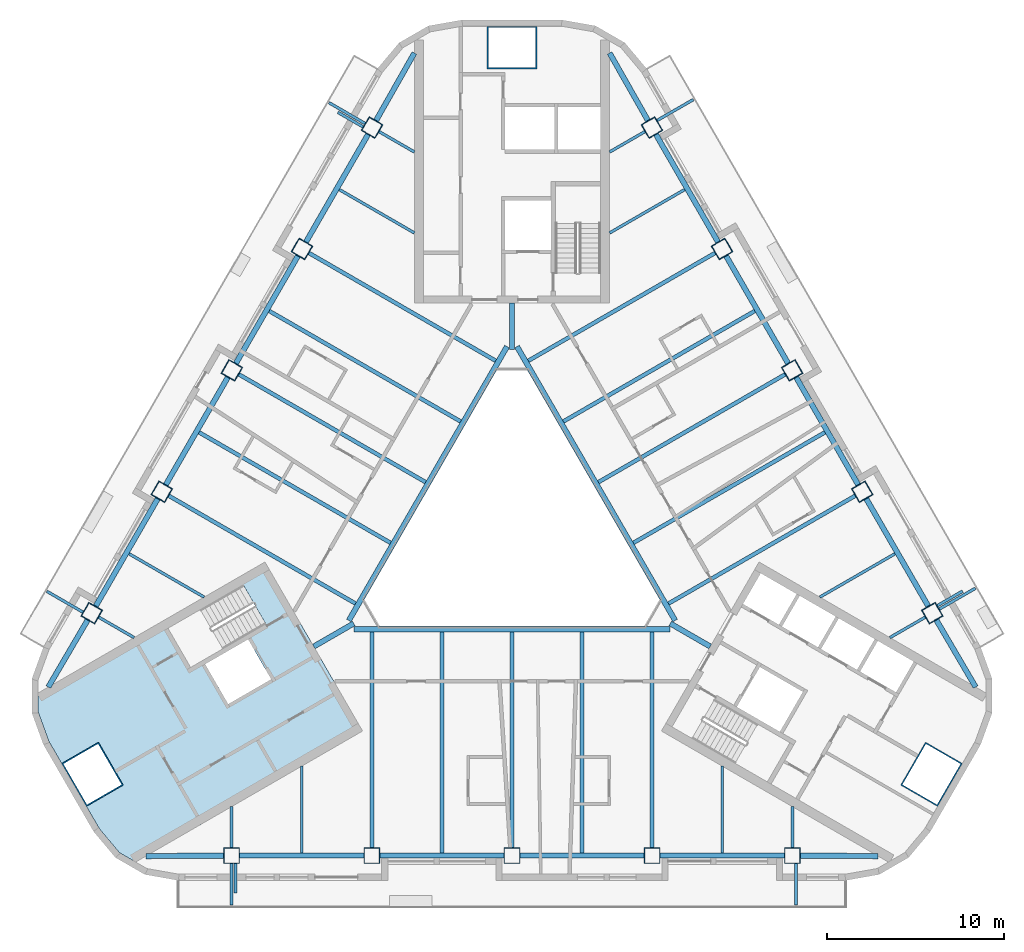
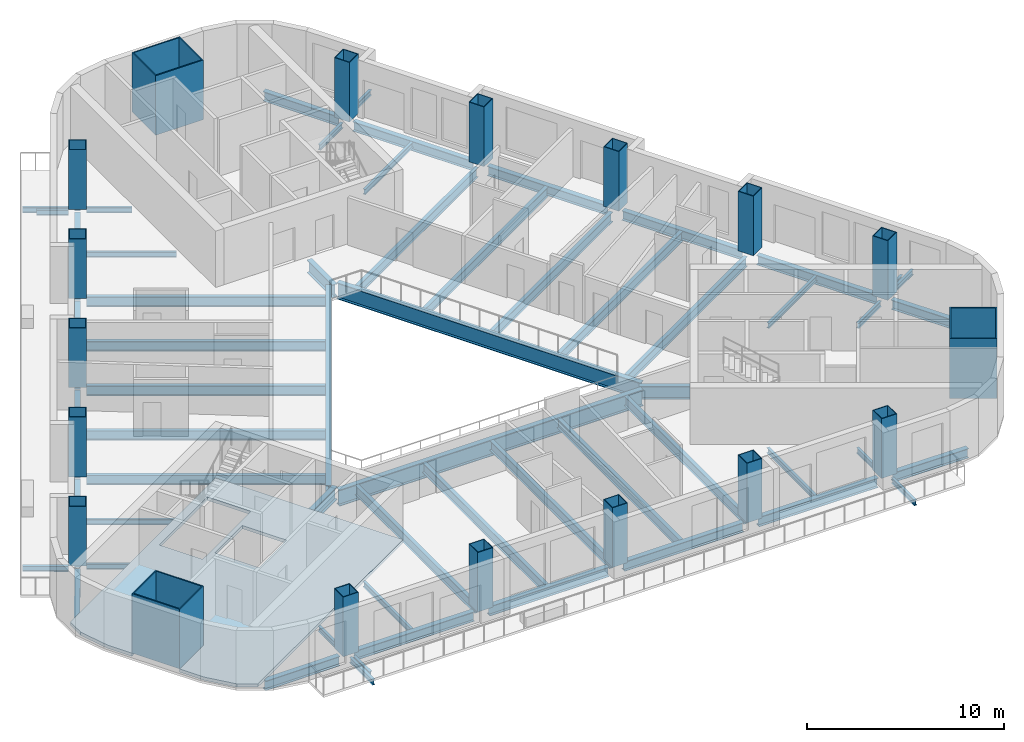
# One storey, part 1 of 14: 60 beams, 18 columns, 1 slab.
"""IFC4 building model written with IfcOpenShell, lengths in metres."""

from ifc_helpers import new_model, si_unit, direction, frame, origin, origin_2d, place, context, subcontext, project, spatial, polyline, rectangle, hollow_rectangle, i_section, outline, extrude, material, layer, layer_set, material_profile, profile_set, type_object, element, save


model = new_model("IFC4")

# Units and contexts
model_context = context("Model", 3, precision=1e-05, world=origin(), true_north=direction((0.0, 1.0)))
body_context = subcontext(model_context, "Body", "Model", "MODEL_VIEW")
ifc_project = project(units=[si_unit("LENGTHUNIT", "METRE"), si_unit("AREAUNIT", "SQUARE_METRE"), si_unit("VOLUMEUNIT", "CUBIC_METRE"), si_unit("PLANEANGLEUNIT", "RADIAN"), si_unit("MASSUNIT", "GRAM", prefix="KILO")], contexts=[model_context])

# Site, building, storey
site_placement = place(None, origin())
site = spatial("IfcSite", under=ifc_project, at=site_placement, CompositionType="ELEMENT")
building_placement = place(site_placement, origin())
building = spatial("IfcBuilding", under=site, at=building_placement, Name="Apuvela Tower Hotel", CompositionType="ELEMENT")
storey_placement = place(building_placement, frame((0.0, 0.0, 109.39990234375)))
storey = spatial("IfcBuildingStorey", under=building, at=storey_placement, Name="L25", CompositionType="ELEMENT", Elevation=109.39990234375)

# Columns
ifc_material_1 = material(Name="Steel S460", Category="steel")
ifc_material_profile_1 = material_profile(ifc_material_1, hollow_rectangle(XDim=2.800048828125, YDim=2.39990234375, WallThickness=0.070068359375, at=origin_2d()), Name="BOX 2800x2400x70")
ifc_material_2 = material(Name="Concrete C80/95", Category="concrete")
ifc_material_profile_2 = material_profile(ifc_material_2, rectangle(XDim=2.659912109375, YDim=2.260009765625, at=origin_2d()), Name="Concrete C80/95 infill")
ifc_profile_set_1 = profile_set([ifc_material_profile_1, ifc_material_profile_2], Name="Steel S460")
column_type_1 = type_object("IfcColumnType", Name="STR-MC mega column BOX 2800x2400x70", PredefinedType="COLUMN", material=ifc_profile_set_1)
for number, where, z_axis, x_axis, name in (
    (1, (0.0, 27.300048828125, 0.0), (0.0, 0.0, 1.0), (1.0, 0.0, 0.0), "Mega column MC2 N"),
    (2, (-23.642578125, -13.64990234375, 0.0), (0.0, 0.0, 1.0), (-0.5, 0.866025403784, 0.0), "Mega column MC2 SW"),
    (3, (23.642578125, -13.64990234375, 0.0), (0.0, 0.0, 1.0), (0.5, 0.866025403784, 0.0), "Mega column MC2 SE"),
):
    element("IfcColumn", number, at=place(storey_placement, frame(where, z_axis=z_axis, x_axis=x_axis)), inside=storey, type_object=column_type_1, Name=name, PredefinedType="COLUMN", context=body_context, shape_type="SweptSolid", body=[
        extrude(hollow_rectangle(XDim=2.800048828125, YDim=2.39990234375, WallThickness=0.070068359375, at=origin_2d()), origin(), (0.0, 0.0, 1.0), 3.7001953125),
    ])
ifc_material_profile_3 = material_profile(ifc_material_1, hollow_rectangle(XDim=0.89990234375, YDim=0.89990234375, WallThickness=0.0400390625, at=origin_2d()), Name="BOX 900x900x40")
ifc_material_profile_4 = material_profile(ifc_material_2, rectangle(XDim=0.820068359375, YDim=0.820068359375, at=origin_2d()), Name="Concrete C80/95 infill")
ifc_profile_set_2 = profile_set([ifc_material_profile_3, ifc_material_profile_4], Name="Steel S460")
column_type_2 = type_object("IfcColumnType", Name="STR-PC perimeter column BOX 900x900x40", PredefinedType="COLUMN", material=ifc_profile_set_2)
for number, where, z_axis, x_axis, name in (
    (4, (-15.800048828125, -18.22998046875, 0.0), (0.0, 0.0, 1.0), (-1.0, 0.0, 0.0), "Perimeter column C3 S1"),
    (5, (-7.89990234375, -18.22998046875, 0.0), (0.0, 0.0, 1.0), (-1.0, 0.0, 0.0), "Perimeter column C3 S2"),
    (6, (0.0, -18.22998046875, 0.0), (0.0, 0.0, 1.0), (-1.0, 0.0, 0.0), "Perimeter column C3 S3"),
    (7, (7.89990234375, -18.22998046875, 0.0), (0.0, 0.0, 1.0), (-1.0, 0.0, 0.0), "Perimeter column C3 S4"),
    (8, (15.800048828125, -18.22998046875, 0.0), (0.0, 0.0, 1.0), (-1.0, 0.0, 0.0), "Perimeter column C3 S5"),
    (9, (23.6875, -4.568115234375, 0.0), (0.0, 0.0, 1.0), (-0.5, 0.866025403784, 0.0), "Perimeter column C3 NE1"),
    (10, (19.737548828125, 2.2734375, 0.0), (0.0, 0.0, 1.0), (-0.5, 0.866025403784, 0.0), "Perimeter column C3 NE2"),
    (11, (15.78759765625, 9.114990234375, 0.0), (0.0, 0.0, 1.0), (-0.5, 0.866025403784, 0.0), "Perimeter column C3 NE3"),
    (12, (11.837646484375, 15.95654296875, 0.0), (0.0, 0.0, 1.0), (-0.5, 0.866025403784, 0.0), "Perimeter column C3 NE4"),
    (13, (7.8876953125, 22.798095703125, 0.0), (0.0, 0.0, 1.0), (-0.5, 0.866025403784, 0.0), "Perimeter column C3 NE5"),
    (14, (-7.8876953125, 22.798095703125, 0.0), (0.0, 0.0, 1.0), (0.5, 0.866025403784, 0.0), "Perimeter column C3 NW1"),
    (15, (-11.837646484375, 15.95654296875, 0.0), (0.0, 0.0, 1.0), (0.5, 0.866025403784, 0.0), "Perimeter column C3 NW2"),
    (16, (-15.78759765625, 9.114990234375, 0.0), (0.0, 0.0, 1.0), (0.5, 0.866025403784, 0.0), "Perimeter column C3 NW3"),
    (17, (-19.737548828125, 2.2734375, 0.0), (0.0, 0.0, 1.0), (0.5, 0.866025403784, 0.0), "Perimeter column C3 NW4"),
    (18, (-23.6875, -4.568115234375, 0.0), (0.0, 0.0, 1.0), (0.5, 0.866025403784, 0.0), "Perimeter column C3 NW5"),
):
    element("IfcColumn", number, at=place(storey_placement, frame(where, z_axis=z_axis, x_axis=x_axis)), inside=storey, type_object=column_type_2, Name=name, PredefinedType="COLUMN", context=body_context, shape_type="SweptSolid", body=[
        extrude(hollow_rectangle(XDim=0.89990234375, YDim=0.89990234375, WallThickness=0.0400390625, at=origin_2d()), origin(), (0.0, 0.0, 1.0), 3.7001953125),
    ])

# Beams
ifc_material_3 = material(Name="Steel S355", Category="steel")
ifc_material_profile_5 = material_profile(ifc_material_3, i_section(OverallWidth=0.159912109375, OverallDepth=0.330078125, WebThickness=0.007568359375, FlangeThickness=0.011474609375, at=origin_2d()), Name="IPE 330")
ifc_profile_set_3 = profile_set([ifc_material_profile_5], Name="Steel S355")
beam_type_1 = type_object("IfcBeamType", Name="ENV-BALCONY-BEAM-IPE330", PredefinedType="BEAM", material=ifc_profile_set_3)
beam_1_placement = place(storey_placement, frame((-15.800048828125, -18.679931640625, -0.31494140625), z_axis=(0.0, -1.0, 0.0), x_axis=(1.0, 0.0, 0.0)))
element("IfcBeam", 19, at=beam_1_placement, inside=storey, type_object=beam_type_1, Name="Balcony cantilever beam S1 L25", PredefinedType="BEAM", context=body_context, shape_type="SweptSolid", body=[
    extrude(i_section(OverallWidth=0.159912109375, OverallDepth=0.330078125, WebThickness=0.007568359375, FlangeThickness=0.011474609375, at=origin_2d()), origin(), (0.0, 0.0, 1.0), 2.35009765625),
])
beam_2_placement = place(storey_placement, frame((-15.580078125, -18.679931640625, -0.31494140625), z_axis=(0.0, -1.0, 0.0), x_axis=(1.0, 0.0, 0.0)))
element("IfcBeam", 20, at=beam_2_placement, inside=storey, type_object=beam_type_1, Name="Balcony cantilever beam S2 L25", PredefinedType="BEAM", context=body_context, shape_type="SweptSolid", body=[
    extrude(i_section(OverallWidth=0.159912109375, OverallDepth=0.330078125, WebThickness=0.007568359375, FlangeThickness=0.011474609375, at=origin_2d()), origin(), (0.0, 0.0, 1.0), 1.650146484375),
])
for number, where, z_axis, x_axis, name in (
    (21, (16.0, -18.679931640625, -0.31494140625), (0.0, -1.0, 0.0), (1.0, 0.0, 0.0), "Balcony cantilever beam S3 L25"),
    (22, (24.077392578125, -4.34326171875, -0.31494140625), (0.866016039709, 0.500016218704, 0.0), (-0.500016218704, 0.866016039709, 0.0), "Balcony cantilever beam NE1 L25"),
):
    element("IfcBeam", number, at=place(storey_placement, frame(where, z_axis=z_axis, x_axis=x_axis)), inside=storey, type_object=beam_type_1, Name=name, PredefinedType="BEAM", context=body_context, shape_type="SweptSolid", body=[
        extrude(i_section(OverallWidth=0.159912109375, OverallDepth=0.330078125, WebThickness=0.007568359375, FlangeThickness=0.011474609375, at=origin_2d()), origin(), (0.0, 0.0, 1.0), 2.35009765625),
    ])
beam_3_placement = place(storey_placement, frame((23.96728515625, -4.152587890625, -0.31494140625), z_axis=(0.866040211805, 0.499974350878, 0.0), x_axis=(-0.499974350878, 0.866040211805, 0.0)))
element("IfcBeam", 23, at=beam_3_placement, inside=storey, type_object=beam_type_1, Name="Balcony cantilever beam NE2 L25", PredefinedType="BEAM", context=body_context, shape_type="SweptSolid", body=[
    extrude(i_section(OverallWidth=0.159912109375, OverallDepth=0.330078125, WebThickness=0.007568359375, FlangeThickness=0.011474609375, at=origin_2d()), origin(), (0.0, 0.0, 1.0), 1.64990234375),
])
beam_4_placement = place(storey_placement, frame((8.177490234375, 23.1962890625, -0.31494140625), z_axis=(0.865990062348, 0.500061208168, 0.0), x_axis=(-0.500061208168, 0.865990062348, 0.0)))
element("IfcBeam", 24, at=beam_4_placement, inside=storey, type_object=beam_type_1, Name="Balcony cantilever beam NE3 L25", PredefinedType="BEAM", context=body_context, shape_type="SweptSolid", body=[
    extrude(i_section(OverallWidth=0.159912109375, OverallDepth=0.330078125, WebThickness=0.007568359375, FlangeThickness=0.011474609375, at=origin_2d()), origin(), (0.0, 0.0, 1.0), 2.349853515625),
])
beam_5_placement = place(storey_placement, frame((-8.27734375, 23.023193359375, -0.31494140625), z_axis=(-0.866016039709, 0.500016218704, 0.0), x_axis=(-0.500016218704, -0.866016039709, 0.0)))
element("IfcBeam", 25, at=beam_5_placement, inside=storey, type_object=beam_type_1, Name="Balcony cantilever beam NW1 L25", PredefinedType="BEAM", context=body_context, shape_type="SweptSolid", body=[
    extrude(i_section(OverallWidth=0.159912109375, OverallDepth=0.330078125, WebThickness=0.007568359375, FlangeThickness=0.011474609375, at=origin_2d()), origin(), (0.0, 0.0, 1.0), 2.35009765625),
])
beam_6_placement = place(storey_placement, frame((-8.387451171875, 22.832763671875, -0.31494140625), z_axis=(-0.866040211805, 0.499974350878, 0.0), x_axis=(-0.499974350878, -0.866040211805, 0.0)))
element("IfcBeam", 26, at=beam_6_placement, inside=storey, type_object=beam_type_1, Name="Balcony cantilever beam NW2 L25", PredefinedType="BEAM", context=body_context, shape_type="SweptSolid", body=[
    extrude(i_section(OverallWidth=0.159912109375, OverallDepth=0.330078125, WebThickness=0.007568359375, FlangeThickness=0.011474609375, at=origin_2d()), origin(), (0.0, 0.0, 1.0), 1.64990234375),
])
beam_7_placement = place(storey_placement, frame((-24.177490234375, -4.516357421875, -0.31494140625), z_axis=(-0.865990062348, 0.500061208168, 0.0), x_axis=(-0.500061208168, -0.865990062348, 0.0)))
element("IfcBeam", 27, at=beam_7_placement, inside=storey, type_object=beam_type_1, Name="Balcony cantilever beam NW3 L25", PredefinedType="BEAM", context=body_context, shape_type="SweptSolid", body=[
    extrude(i_section(OverallWidth=0.159912109375, OverallDepth=0.330078125, WebThickness=0.007568359375, FlangeThickness=0.011474609375, at=origin_2d()), origin(), (0.0, 0.0, 1.0), 2.349853515625),
])
ifc_material_profile_6 = material_profile(ifc_material_3, i_section(OverallWidth=0.159912109375, OverallDepth=0.330078125, WebThickness=0.007568359375, FlangeThickness=0.011474609375, at=origin_2d()), Name="IPE 330")
ifc_profile_set_4 = profile_set([ifc_material_profile_6], Name="Steel S355")
beam_type_2 = type_object("IfcBeamType", Name="STR-B floor beam IPE 330", PredefinedType="BEAM", material=ifc_profile_set_4)
beam_8_placement = place(storey_placement, frame((23.2978515625, -4.793212890625, -0.31494140625), z_axis=(-0.866000531106, -0.500043078269, 0.0), x_axis=(0.500043078269, -0.866000531106, 0.0)))
element("IfcBeam", 28, at=beam_8_placement, inside=storey, type_object=beam_type_2, Name="Floor beam B1 NE1", PredefinedType="BEAM", context=body_context, shape_type="SweptSolid", body=[
    extrude(i_section(OverallWidth=0.159912109375, OverallDepth=0.330078125, WebThickness=0.007568359375, FlangeThickness=0.011474609375, at=origin_2d()), origin(), (0.0, 0.0, 1.0), 2.306884765625),
])
for number, where, z_axis, x_axis, name in (
    (29, (21.582763671875, -1.222412109375, -0.31494140625), (-0.866015056278, -0.500017921979, 0.0), (0.500017921979, -0.866015056278, 0.0), "Floor beam B1 NE2"),
    (30, (9.732666015625, 19.302490234375, -0.31494140625), (-0.866015056278, -0.500017921979, 0.0), (0.500017921979, -0.866015056278, 0.0), "Floor beam B1 NE8"),
):
    element("IfcBeam", number, at=place(storey_placement, frame(where, z_axis=z_axis, x_axis=x_axis)), inside=storey, type_object=beam_type_2, Name=name, PredefinedType="BEAM", context=body_context, shape_type="SweptSolid", body=[
        extrude(i_section(OverallWidth=0.159912109375, OverallDepth=0.330078125, WebThickness=0.007568359375, FlangeThickness=0.011474609375, at=origin_2d()), origin(), (0.0, 0.0, 1.0), 4.887451171875),
    ])
for number, where, z_axis, x_axis, name in (
    (31, (7.497802734375, 22.5732421875, -0.31494140625), (-0.866000531106, -0.500043078269, 0.0), (0.500043078269, -0.866000531106, 0.0), "Floor beam B1 NE9"),
    (32, (-7.497802734375, 22.5732421875, -0.31494140625), (0.866000531106, -0.500043078269, 0.0), (0.500043078269, 0.866000531106, 0.0), "Floor beam B1 NW1"),
):
    element("IfcBeam", number, at=place(storey_placement, frame(where, z_axis=z_axis, x_axis=x_axis)), inside=storey, type_object=beam_type_2, Name=name, PredefinedType="BEAM", context=body_context, shape_type="SweptSolid", body=[
        extrude(i_section(OverallWidth=0.159912109375, OverallDepth=0.330078125, WebThickness=0.007568359375, FlangeThickness=0.011474609375, at=origin_2d()), origin(), (0.0, 0.0, 1.0), 2.306884765625),
    ])
for number, where, z_axis, x_axis, name in (
    (33, (-9.732666015625, 19.302490234375, -0.31494140625), (0.866015056278, -0.500017921979, 0.0), (0.500017921979, 0.866015056278, 0.0), "Floor beam B1 NW2"),
    (34, (-21.582763671875, -1.222412109375, -0.31494140625), (0.866015056278, -0.500017921979, 0.0), (0.500017921979, 0.866015056278, 0.0), "Floor beam B1 NW8"),
):
    element("IfcBeam", number, at=place(storey_placement, frame(where, z_axis=z_axis, x_axis=x_axis)), inside=storey, type_object=beam_type_2, Name=name, PredefinedType="BEAM", context=body_context, shape_type="SweptSolid", body=[
        extrude(i_section(OverallWidth=0.159912109375, OverallDepth=0.330078125, WebThickness=0.007568359375, FlangeThickness=0.011474609375, at=origin_2d()), origin(), (0.0, 0.0, 1.0), 4.887451171875),
    ])
beam_9_placement = place(storey_placement, frame((-23.2978515625, -4.793212890625, -0.31494140625), z_axis=(0.866000531106, -0.500043078269, 0.0), x_axis=(0.500043078269, 0.866000531106, 0.0)))
element("IfcBeam", 35, at=beam_9_placement, inside=storey, type_object=beam_type_2, Name="Floor beam B1 NW9", PredefinedType="BEAM", context=body_context, shape_type="SweptSolid", body=[
    extrude(i_section(OverallWidth=0.159912109375, OverallDepth=0.330078125, WebThickness=0.007568359375, FlangeThickness=0.011474609375, at=origin_2d()), origin(), (0.0, 0.0, 1.0), 2.306884765625),
])
beam_10_placement = place(storey_placement, frame((-15.800048828125, -17.780029296875, -0.31494140625), z_axis=(0.0, 1.0, 0.0), x_axis=(-1.0, 0.0, 0.0)))
element("IfcBeam", 36, at=beam_10_placement, inside=storey, type_object=beam_type_2, Name="Floor beam B1 S1", PredefinedType="BEAM", context=body_context, shape_type="SweptSolid", body=[
    extrude(i_section(OverallWidth=0.159912109375, OverallDepth=0.330078125, WebThickness=0.007568359375, FlangeThickness=0.011474609375, at=origin_2d()), origin(), (0.0, 0.0, 1.0), 2.30712890625),
])
for number, where, z_axis, x_axis, name in (
    (37, (-11.85009765625, -18.080078125, -0.31494140625), (0.0, 1.0, 0.0), (-1.0, 0.0, 0.0), "Floor beam B1 S2"),
    (38, (11.85009765625, -18.080078125, -0.31494140625), (0.0, 1.0, 0.0), (-1.0, 0.0, 0.0), "Floor beam B1 S8"),
):
    element("IfcBeam", number, at=place(storey_placement, frame(where, z_axis=z_axis, x_axis=x_axis)), inside=storey, type_object=beam_type_2, Name=name, PredefinedType="BEAM", context=body_context, shape_type="SweptSolid", body=[
        extrude(i_section(OverallWidth=0.159912109375, OverallDepth=0.330078125, WebThickness=0.007568359375, FlangeThickness=0.011474609375, at=origin_2d()), origin(), (0.0, 0.0, 1.0), 4.8876953125),
    ])
beam_11_placement = place(storey_placement, frame((15.800048828125, -17.780029296875, -0.31494140625), z_axis=(0.0, 1.0, 0.0), x_axis=(-1.0, 0.0, 0.0)))
element("IfcBeam", 39, at=beam_11_placement, inside=storey, type_object=beam_type_2, Name="Floor beam B1 S9", PredefinedType="BEAM", context=body_context, shape_type="SweptSolid", body=[
    extrude(i_section(OverallWidth=0.159912109375, OverallDepth=0.330078125, WebThickness=0.007568359375, FlangeThickness=0.011474609375, at=origin_2d()), origin(), (0.0, 0.0, 1.0), 2.30712890625),
])
ifc_material_profile_7 = material_profile(ifc_material_3, i_section(OverallWidth=0.219970703125, OverallDepth=0.60009765625, WebThickness=0.011962890625, FlangeThickness=0.01904296875, at=origin_2d()), Name="IPE 600")
ifc_profile_set_5 = profile_set([ifc_material_profile_7], Name="Steel S355")
beam_type_3 = type_object("IfcBeamType", Name="STR-B floor beam IPE 600", PredefinedType="BEAM", material=ifc_profile_set_5)
beam_12_placement = place(storey_placement, frame((19.347900390625, 2.04833984375, -0.449951171875), z_axis=(-0.866028751965, -0.499994200737, 0.0), x_axis=(0.499994200737, -0.866028751965, 0.0)))
element("IfcBeam", 40, at=beam_12_placement, inside=storey, type_object=beam_type_3, Name="Floor beam B8 NE3", PredefinedType="BEAM", context=body_context, shape_type="SweptSolid", body=[
    extrude(i_section(OverallWidth=0.219970703125, OverallDepth=0.60009765625, WebThickness=0.011962890625, FlangeThickness=0.01904296875, at=origin_2d()), origin(), (0.0, 0.0, 1.0), 12.157958984375),
])
beam_13_placement = place(storey_placement, frame((17.6328125, 5.619140625, -0.449951171875), z_axis=(-0.866027636335, -0.499996133089, 0.0), x_axis=(0.499996133089, -0.866027636335, 0.0)))
element("IfcBeam", 41, at=beam_13_placement, inside=storey, type_object=beam_type_3, Name="Floor beam B8 NE4", PredefinedType="BEAM", context=body_context, shape_type="SweptSolid", body=[
    extrude(i_section(OverallWidth=0.219970703125, OverallDepth=0.60009765625, WebThickness=0.011962890625, FlangeThickness=0.01904296875, at=origin_2d()), origin(), (0.0, 0.0, 1.0), 12.4580078125),
])
beam_14_placement = place(storey_placement, frame((15.39794921875, 8.889892578125, -0.449951171875), z_axis=(-0.866028751965, -0.499994200737, 0.0), x_axis=(0.499994200737, -0.866028751965, 0.0)))
element("IfcBeam", 42, at=beam_14_placement, inside=storey, type_object=beam_type_3, Name="Floor beam B8 NE5", PredefinedType="BEAM", context=body_context, shape_type="SweptSolid", body=[
    extrude(i_section(OverallWidth=0.219970703125, OverallDepth=0.60009765625, WebThickness=0.011962890625, FlangeThickness=0.01904296875, at=origin_2d()), origin(), (0.0, 0.0, 1.0), 12.157958984375),
])
beam_15_placement = place(storey_placement, frame((13.6826171875, 12.460693359375, -0.449951171875), z_axis=(-0.866022737053, -0.500004618886, 0.0), x_axis=(0.500004618886, -0.866022737053, 0.0)))
element("IfcBeam", 43, at=beam_15_placement, inside=storey, type_object=beam_type_3, Name="Floor beam B8 NE6", PredefinedType="BEAM", context=body_context, shape_type="SweptSolid", body=[
    extrude(i_section(OverallWidth=0.219970703125, OverallDepth=0.60009765625, WebThickness=0.011962890625, FlangeThickness=0.01904296875, at=origin_2d()), origin(), (0.0, 0.0, 1.0), 12.4580078125),
])
for number, where, z_axis, x_axis, name in (
    (44, (11.447998046875, 15.731689453125, -0.449951171875), (-0.866025076934, -0.500000566121, 0.0), (0.500000566121, -0.866025076934, 0.0), "Floor beam B8 NE7"),
    (45, (-11.447998046875, 15.731689453125, -0.449951171875), (0.866025076934, -0.500000566121, 0.0), (0.500000566121, 0.866025076934, 0.0), "Floor beam B8 NW3"),
):
    element("IfcBeam", number, at=place(storey_placement, frame(where, z_axis=z_axis, x_axis=x_axis)), inside=storey, type_object=beam_type_3, Name=name, PredefinedType="BEAM", context=body_context, shape_type="SweptSolid", body=[
        extrude(i_section(OverallWidth=0.219970703125, OverallDepth=0.60009765625, WebThickness=0.011962890625, FlangeThickness=0.01904296875, at=origin_2d()), origin(), (0.0, 0.0, 1.0), 12.158203125),
    ])
beam_16_placement = place(storey_placement, frame((-13.6826171875, 12.460693359375, -0.449951171875), z_axis=(0.866022737053, -0.500004618886, 0.0), x_axis=(0.500004618886, 0.866022737053, 0.0)))
element("IfcBeam", 46, at=beam_16_placement, inside=storey, type_object=beam_type_3, Name="Floor beam B8 NW4", PredefinedType="BEAM", context=body_context, shape_type="SweptSolid", body=[
    extrude(i_section(OverallWidth=0.219970703125, OverallDepth=0.60009765625, WebThickness=0.011962890625, FlangeThickness=0.01904296875, at=origin_2d()), origin(), (0.0, 0.0, 1.0), 12.4580078125),
])
beam_17_placement = place(storey_placement, frame((-15.39794921875, 8.889892578125, -0.449951171875), z_axis=(0.866028751965, -0.499994200737, 0.0), x_axis=(0.499994200737, 0.866028751965, 0.0)))
element("IfcBeam", 47, at=beam_17_placement, inside=storey, type_object=beam_type_3, Name="Floor beam B8 NW5", PredefinedType="BEAM", context=body_context, shape_type="SweptSolid", body=[
    extrude(i_section(OverallWidth=0.219970703125, OverallDepth=0.60009765625, WebThickness=0.011962890625, FlangeThickness=0.01904296875, at=origin_2d()), origin(), (0.0, 0.0, 1.0), 12.157958984375),
])
beam_18_placement = place(storey_placement, frame((-17.6328125, 5.619140625, -0.449951171875), z_axis=(0.866027636335, -0.499996133089, 0.0), x_axis=(0.499996133089, 0.866027636335, 0.0)))
element("IfcBeam", 48, at=beam_18_placement, inside=storey, type_object=beam_type_3, Name="Floor beam B8 NW6", PredefinedType="BEAM", context=body_context, shape_type="SweptSolid", body=[
    extrude(i_section(OverallWidth=0.219970703125, OverallDepth=0.60009765625, WebThickness=0.011962890625, FlangeThickness=0.01904296875, at=origin_2d()), origin(), (0.0, 0.0, 1.0), 12.4580078125),
])
for number, where, z_axis, x_axis, name in (
    (49, (-19.347900390625, 2.04833984375, -0.449951171875), (0.866028751965, -0.499994200737, 0.0), (0.499994200737, 0.866028751965, 0.0), "Floor beam B8 NW7"),
    (50, (-7.89990234375, -17.780029296875, -0.449951171875), (0.0, 1.0, 0.0), (-1.0, 0.0, 0.0), "Floor beam B8 S3"),
):
    element("IfcBeam", number, at=place(storey_placement, frame(where, z_axis=z_axis, x_axis=x_axis)), inside=storey, type_object=beam_type_3, Name=name, PredefinedType="BEAM", context=body_context, shape_type="SweptSolid", body=[
        extrude(i_section(OverallWidth=0.219970703125, OverallDepth=0.60009765625, WebThickness=0.011962890625, FlangeThickness=0.01904296875, at=origin_2d()), origin(), (0.0, 0.0, 1.0), 12.157958984375),
    ])
beam_19_placement = place(storey_placement, frame((-3.949951171875, -18.080078125, -0.449951171875), z_axis=(0.0, 1.0, 0.0), x_axis=(-1.0, 0.0, 0.0)))
element("IfcBeam", 51, at=beam_19_placement, inside=storey, type_object=beam_type_3, Name="Floor beam B8 S4", PredefinedType="BEAM", context=body_context, shape_type="SweptSolid", body=[
    extrude(i_section(OverallWidth=0.219970703125, OverallDepth=0.60009765625, WebThickness=0.011962890625, FlangeThickness=0.01904296875, at=origin_2d()), origin(), (0.0, 0.0, 1.0), 12.4580078125),
])
beam_20_placement = place(storey_placement, frame((0.0, -17.780029296875, -0.449951171875), z_axis=(0.0, 1.0, 0.0), x_axis=(-1.0, 0.0, 0.0)))
element("IfcBeam", 52, at=beam_20_placement, inside=storey, type_object=beam_type_3, Name="Floor beam B8 S5", PredefinedType="BEAM", context=body_context, shape_type="SweptSolid", body=[
    extrude(i_section(OverallWidth=0.219970703125, OverallDepth=0.60009765625, WebThickness=0.011962890625, FlangeThickness=0.01904296875, at=origin_2d()), origin(), (0.0, 0.0, 1.0), 12.157958984375),
])
beam_21_placement = place(storey_placement, frame((3.949951171875, -18.080078125, -0.449951171875), z_axis=(0.0, 1.0, 0.0), x_axis=(-1.0, 0.0, 0.0)))
element("IfcBeam", 53, at=beam_21_placement, inside=storey, type_object=beam_type_3, Name="Floor beam B8 S6", PredefinedType="BEAM", context=body_context, shape_type="SweptSolid", body=[
    extrude(i_section(OverallWidth=0.219970703125, OverallDepth=0.60009765625, WebThickness=0.011962890625, FlangeThickness=0.01904296875, at=origin_2d()), origin(), (0.0, 0.0, 1.0), 12.4580078125),
])
beam_22_placement = place(storey_placement, frame((7.89990234375, -17.780029296875, -0.449951171875), z_axis=(0.0, 1.0, 0.0), x_axis=(-1.0, 0.0, 0.0)))
element("IfcBeam", 54, at=beam_22_placement, inside=storey, type_object=beam_type_3, Name="Floor beam B8 S7", PredefinedType="BEAM", context=body_context, shape_type="SweptSolid", body=[
    extrude(i_section(OverallWidth=0.219970703125, OverallDepth=0.60009765625, WebThickness=0.011962890625, FlangeThickness=0.01904296875, at=origin_2d()), origin(), (0.0, 0.0, 1.0), 12.157958984375),
])
ifc_material_profile_8 = material_profile(ifc_material_3, i_section(OverallWidth=0.302001953125, OverallDepth=1.008056640625, WebThickness=0.02099609375, FlangeThickness=0.0400390625, at=origin_2d()), Name="HE 1000 M")
ifc_profile_set_6 = profile_set([ifc_material_profile_8], Name="Steel S355")
beam_type_4 = type_object("IfcBeamType", Name="STR-G atrium ring girder HE 1000 M", PredefinedType="BEAM", material=ifc_profile_set_6)
for number, where, z_axis, x_axis, name in (
    (55, (-0.28076171875, 10.455810546875, -0.65380859375), (-0.500000611842, -0.866025050537, 0.0), (0.866025050537, -0.500000611842, 0.0), "Atrium ring girder G1 N-SW"),
    (56, (-8.91455078125, -5.470947265625, -0.65380859375), (1.0, 0.0, 0.0), (0.0, 1.0, 0.0), "Atrium ring girder G1 SW-SE"),
    (57, (9.1953125, -4.984619140625, -0.65380859375), (-0.500000611842, 0.866025050537, 0.0), (-0.866025050537, -0.500000611842, 0.0), "Atrium ring girder G1 SE-N"),
):
    element("IfcBeam", number, at=place(storey_placement, frame(where, z_axis=z_axis, x_axis=x_axis)), inside=storey, type_object=beam_type_4, Name=name, PredefinedType="BEAM", context=body_context, shape_type="SweptSolid", body=[
        extrude(i_section(OverallWidth=0.302001953125, OverallDepth=1.008056640625, WebThickness=0.02099609375, FlangeThickness=0.0400390625, at=origin_2d()), origin(), (0.0, 0.0, 1.0), 17.8291015625),
    ])
ifc_material_profile_9 = material_profile(ifc_material_3, i_section(OverallWidth=0.300048828125, OverallDepth=0.800048828125, WebThickness=0.017578125, FlangeThickness=0.032958984375, at=origin_2d()), Name="HE 800 B")
ifc_profile_set_7 = profile_set([ifc_material_profile_9], Name="Steel S355")
beam_type_5 = type_object("IfcBeamType", Name="STR-GT core tie beam HE 800 B", PredefinedType="BEAM", material=ifc_profile_set_7)
for number, where, z_axis, x_axis, name in (
    (58, (0.0, 12.89990234375, -0.5498046875), (0.0, -1.0, 0.0), (1.0, 0.0, 0.0), "Core tie beam GT1 N"),
    (59, (-11.171630859375, -6.449951171875, -0.5498046875), (0.865997922154, 0.500047596559, 0.0), (-0.500047596559, 0.865997922154, 0.0), "Core tie beam GT1 SW"),
    (60, (11.171630859375, -6.449951171875, -0.5498046875), (-0.865997922154, 0.500047596559, 0.0), (-0.500047596559, -0.865997922154, 0.0), "Core tie beam GT1 SE"),
):
    element("IfcBeam", number, at=place(storey_placement, frame(where, z_axis=z_axis, x_axis=x_axis)), inside=storey, type_object=beam_type_5, Name=name, PredefinedType="BEAM", context=body_context, shape_type="SweptSolid", body=[
        extrude(i_section(OverallWidth=0.300048828125, OverallDepth=0.800048828125, WebThickness=0.017578125, FlangeThickness=0.032958984375, at=origin_2d()), origin(), (0.0, 0.0, 1.0), 2.599853515625),
    ])
ifc_material_profile_10 = material_profile(ifc_material_3, i_section(OverallWidth=0.300048828125, OverallDepth=0.590087890625, WebThickness=0.012939453125, FlangeThickness=0.02490234375, at=origin_2d()), Name="HE 600 A")
ifc_profile_set_8 = profile_set([ifc_material_profile_10], Name="Steel S355")
beam_type_6 = type_object("IfcBeamType", Name="STR-SB spandrel beam HE 600 A", PredefinedType="SPANDREL", material=ifc_profile_set_8)
for number, where, z_axis, x_axis, name in (
    (61, (-15.35009765625, -18.22998046875, -0.44482421875), (1.0, 0.0, 0.0), (0.0, 1.0, 0.0), "Spandrel beam SB2 S1"),
    (62, (-7.449951171875, -18.22998046875, -0.44482421875), (1.0, 0.0, 0.0), (0.0, 1.0, 0.0), "Spandrel beam SB2 S2"),
    (63, (0.449951171875, -18.22998046875, -0.44482421875), (1.0, 0.0, 0.0), (0.0, 1.0, 0.0), "Spandrel beam SB2 S3"),
    (64, (8.35009765625, -18.22998046875, -0.44482421875), (1.0, 0.0, 0.0), (0.0, 1.0, 0.0), "Spandrel beam SB2 S4"),
    (65, (23.462646484375, -4.178466796875, -0.44482421875), (-0.499995173006, 0.866028190633, 0.0), (-0.866028190633, -0.499995173006, 0.0), "Spandrel beam SB2 NE1"),
    (66, (19.5126953125, 2.6630859375, -0.44482421875), (-0.499995173006, 0.866028190633, 0.0), (-0.866028190633, -0.499995173006, 0.0), "Spandrel beam SB2 NE2"),
    (67, (15.5625, 9.504638671875, -0.44482421875), (-0.499995173006, 0.866028190633, 0.0), (-0.866028190633, -0.499995173006, 0.0), "Spandrel beam SB2 NE3"),
    (68, (11.612548828125, 16.34619140625, -0.44482421875), (-0.499995173006, 0.866028190633, 0.0), (-0.866028190633, -0.499995173006, 0.0), "Spandrel beam SB2 NE4"),
    (69, (-8.112548828125, 22.408447265625, -0.44482421875), (-0.499995173006, -0.866028190633, 0.0), (0.866028190633, -0.499995173006, 0.0), "Spandrel beam SB2 NW1"),
    (70, (-12.0625, 15.56689453125, -0.44482421875), (-0.499995173006, -0.866028190633, 0.0), (0.866028190633, -0.499995173006, 0.0), "Spandrel beam SB2 NW2"),
    (71, (-16.0126953125, 8.725341796875, -0.44482421875), (-0.499995173006, -0.866028190633, 0.0), (0.866028190633, -0.499995173006, 0.0), "Spandrel beam SB2 NW3"),
    (72, (-19.962646484375, 1.8837890625, -0.44482421875), (-0.499995173006, -0.866028190633, 0.0), (0.866028190633, -0.499995173006, 0.0), "Spandrel beam SB2 NW4"),
):
    element("IfcBeam", number, at=place(storey_placement, frame(where, z_axis=z_axis, x_axis=x_axis)), inside=storey, type_object=beam_type_6, Name=name, PredefinedType="SPANDREL", context=body_context, shape_type="SweptSolid", body=[
        extrude(i_section(OverallWidth=0.300048828125, OverallDepth=0.590087890625, WebThickness=0.012939453125, FlangeThickness=0.02490234375, at=origin_2d()), origin(), (0.0, 0.0, 1.0), 7.0),
    ])
for number, where, z_axis, x_axis, name in (
    (73, (-16.25, -18.233154296875, -0.44482421875), (-0.999976528586, -0.006851443461, 0.0), (0.006851443461, -0.999976528586, 0.0), "Spandrel beam SB2 S1-SW"),
    (74, (16.25, -18.233154296875, -0.44482421875), (0.999976528586, -0.006851443461, 0.0), (0.006851443461, 0.999976528586, 0.0), "Spandrel beam SB2 S5-SE"),
    (75, (23.915283203125, -4.956298828125, -0.44482421875), (0.505951068275, -0.862562181244, 0.0), (0.862562181244, 0.505951068275, 0.0), "Spandrel beam SB2 NE1-SE"),
    (76, (7.665283203125, 23.189453125, -0.44482421875), (-0.494043860968, 0.869436980718, 0.0), (-0.869436980718, -0.494043860968, 0.0), "Spandrel beam SB2 NE5-N"),
    (77, (-7.665283203125, 23.189453125, -0.44482421875), (0.494043860968, 0.869436980718, 0.0), (-0.869436980718, 0.494043860968, 0.0), "Spandrel beam SB2 NW1-N"),
    (78, (-23.915283203125, -4.956298828125, -0.44482421875), (-0.505951068275, -0.862562181244, 0.0), (0.862562181244, -0.505951068275, 0.0), "Spandrel beam SB2 NW5-SW"),
):
    element("IfcBeam", number, at=place(storey_placement, frame(where, z_axis=z_axis, x_axis=x_axis)), inside=storey, type_object=beam_type_6, Name=name, PredefinedType="SPANDREL", context=body_context, shape_type="SweptSolid", body=[
        extrude(i_section(OverallWidth=0.300048828125, OverallDepth=0.590087890625, WebThickness=0.012939453125, FlangeThickness=0.02490234375, at=origin_2d()), origin(), (0.0, 0.0, 1.0), 4.3828125),
    ])

# Slab
ifc_material_4 = material(Name="Concrete C50/60", Category="concrete")
ifc_layer = layer(ifc_material_4, 0.199951171875)
ifc_layer_set = layer_set([ifc_layer], Name="COR-FLOOR-200")
slab_type = type_object("IfcSlabType", Name="COR-FLOOR-200", PredefinedType="FLOOR", material=ifc_layer_set)
slab_placement = place(storey_placement, frame((0.0, 0.0, -0.199951171875)))
element("IfcSlab", 79, at=slab_placement, inside=storey, type_object=slab_type, Name="Core floor SW", PredefinedType="FLOOR", context=body_context, shape_type="SweptSolid", body=[
    extrude(outline(polyline([(-26.711181640625, -9.07080078125), (-26.711181640625, -10.123291015625), (-26.109375, -11.77734375), (-25.381591796875, -13.03759765625), (-23.30322265625, -11.837646484375), (-21.9033203125, -14.262451171875), (-23.981689453125, -15.46240234375), (-23.254150390625, -16.72265625), (-22.122802734375, -18.071044921875), (-21.211181640625, -18.59716796875), (-8.421630859375, -11.213134765625), (-13.921630859375, -1.68701171875), (-26.711181640625, -9.07080078125)]), holes=[polyline([(-13.874267578125, -5.18115234375), (-18.112548828125, -7.628173828125), (-19.387451171875, -5.419921875), (-15.149169921875, -2.972900390625), (-13.874267578125, -5.18115234375)]), polyline([(-13.56982421875, -8.29638671875), (-15.99462890625, -9.6962890625), (-17.294677734375, -7.444580078125), (-14.869873046875, -6.044677734375), (-13.56982421875, -8.29638671875)])]), origin(), (0.0, 0.0, 1.0), 0.199951171875),
])

save(model, "model.ifc")
